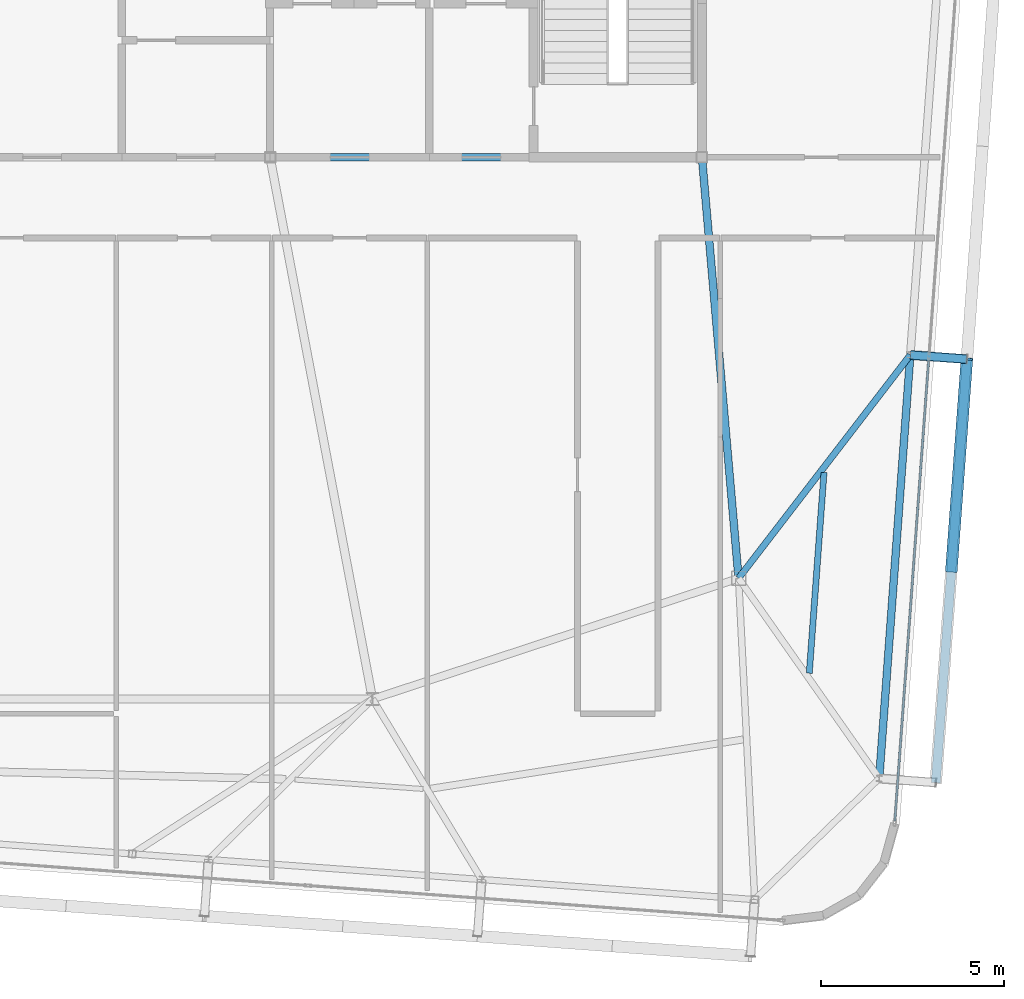
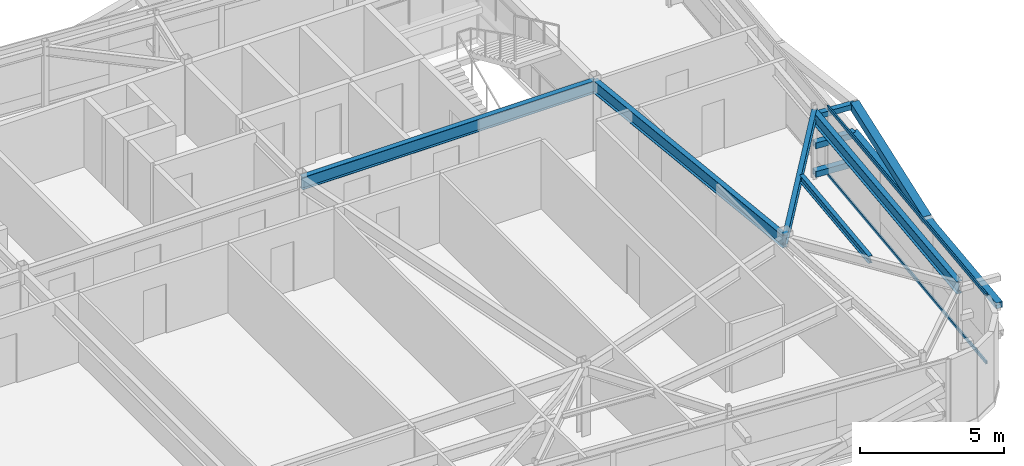
# One storey, part 16 of 34: 7 members, 5 beams, 1 element without a shape of its own.
"""IFC4 building model written with IfcOpenShell, lengths in metres."""

from ifc_helpers import new_model, si_unit, direction, frame, origin, origin_2d, place, context, subcontext, project, spatial, hollow_rectangle, i_section, extrude, source, transform, mapped, material, layer, layer_set, material_profile, profile_set, type_object, element, aggregate, save


model = new_model("IFC4")

# Units and contexts
model_context = context("Model", 3, precision=1e-05, world=origin(), true_north=direction((0.0, 1.0)))
body_context = subcontext(model_context, "Body", "Model", "MODEL_VIEW")
ifc_project = project(units=[si_unit("LENGTHUNIT", "METRE"), si_unit("AREAUNIT", "SQUARE_METRE"), si_unit("VOLUMEUNIT", "CUBIC_METRE"), si_unit("PLANEANGLEUNIT", "RADIAN"), si_unit("MASSUNIT", "GRAM", prefix="KILO")], contexts=[model_context])

# Site, building, storey
site_placement = place(None, origin())
site = spatial("IfcSite", under=ifc_project, at=site_placement, CompositionType="ELEMENT")
building_placement = place(site_placement, origin())
building = spatial("IfcBuilding", under=site, at=building_placement, Name="Taldren Reach Tower", CompositionType="ELEMENT")
storey_placement = place(building_placement, frame((0.0, 0.0, 242.89990234375)))
storey = spatial("IfcBuildingStorey", under=building, at=storey_placement, Name="L74", CompositionType="ELEMENT", Elevation=242.89990234375)

# Beams
ifc_material_1 = material(Name="Steel Gr 350 (350PLUS)", Category="steel")
ifc_material_profile_1 = material_profile(ifc_material_1, i_section(OverallWidth=0.208984375, OverallDepth=0.532958984375, WebThickness=0.01025390625, FlangeThickness=0.015625, at=origin_2d()), Name="530UB92.4")
ifc_profile_set_1 = profile_set([ifc_material_profile_1], Name="Steel Gr 350 (350PLUS)")
beam_type_1 = type_object("IfcBeamType", Name="BM-UB530A", PredefinedType="BEAM", material=ifc_profile_set_1)
shared_shape_1 = source(origin(), body_context, "Body", "SweptSolid", [
    extrude(i_section(OverallWidth=0.208984375, OverallDepth=0.532958984375, WebThickness=0.01025390625, FlangeThickness=0.015625, at=origin_2d()), origin(), (0.0, 0.0, 1.0), 11.800048828125),
])
beam_1_placement = place(storey_placement, frame((39.199951171875, 24.0, 2.66357421875), z_axis=(1.0, 0.0, 0.0), x_axis=(0.0, 1.0, 0.0)))
element("IfcBeam", 1, at=beam_1_placement, inside=storey, type_object=beam_type_1, Name="Core-spine girder L74-SP03", PredefinedType="BEAM", context=body_context, shape_type="MappedRepresentation", body=[
    mapped(shared_shape_1, transform((0.0, 0.0, 0.0), scale=1.0)),
])
shared_shape_2 = source(origin(), body_context, "Body", "SweptSolid", [
    extrude(i_section(OverallWidth=0.208984375, OverallDepth=0.532958984375, WebThickness=0.01025390625, FlangeThickness=0.015625, at=origin_2d()), origin(), (0.0, 0.0, 1.0), 11.54345703125),
])
beam_2_placement = place(storey_placement, frame((52.0, 12.5, 2.66357421875), z_axis=(-0.086629616365, 0.996240588196, 0.0), x_axis=(-0.996240588196, -0.086629616365, 0.0)))
element("IfcBeam", 2, at=beam_2_placement, inside=storey, type_object=beam_type_1, Name="Core-spine girder L74-SP13", PredefinedType="BEAM", context=body_context, shape_type="MappedRepresentation", body=[
    mapped(shared_shape_2, transform((0.0, 0.0, 0.0), scale=1.0)),
])
ifc_material_profile_2 = material_profile(ifc_material_1, i_section(OverallWidth=0.208984375, OverallDepth=0.528076171875, WebThickness=0.009521484375, FlangeThickness=0.01318359375, at=origin_2d()), Name="530UB82.0")
ifc_profile_set_2 = profile_set([ifc_material_profile_2], Name="Steel Gr 350 (350PLUS)")
beam_type_2 = type_object("IfcBeamType", Name="SP-UB530B", PredefinedType="SPANDREL", material=ifc_profile_set_2)
shared_shape_3 = source(origin(), body_context, "Body", "SweptSolid", [
    extrude(i_section(OverallWidth=0.208984375, OverallDepth=0.528076171875, WebThickness=0.009521484375, FlangeThickness=0.01318359375, at=origin_2d()), origin(), (0.0, 0.0, 1.0), 11.60009765625),
])
beam_3_placement = place(storey_placement, frame((55.841796875, 7.031005859375, 2.666015625), z_axis=(0.073242167855, 0.997314185625, 0.0), x_axis=(-0.997314185625, 0.073242167855, 0.0)))
element("IfcBeam", 3, at=beam_3_placement, inside=storey, type_object=beam_type_2, Name="Perimeter spandrel B5 E1-E2 L74", PredefinedType="SPANDREL", context=body_context, shape_type="MappedRepresentation", body=[
    mapped(shared_shape_3, transform((0.0, 0.0, 0.0), scale=1.0)),
])
ifc_material_profile_3 = material_profile(ifc_material_1, i_section(OverallWidth=0.177978515625, OverallDepth=0.406005859375, WebThickness=0.0078125, FlangeThickness=0.0126953125, at=origin_2d()), Name="410UB59.7")
ifc_profile_set_3 = profile_set([ifc_material_profile_3], Name="Steel Gr 350 (350PLUS)")
beam_type_3 = type_object("IfcBeamType", Name="BM-UB410", PredefinedType="BEAM", material=ifc_profile_set_3)
shared_shape_4 = source(origin(), body_context, "Body", "SweptSolid", [
    extrude(i_section(OverallWidth=0.177978515625, OverallDepth=0.406005859375, WebThickness=0.0078125, FlangeThickness=0.0126953125, at=origin_2d()), origin(), (0.0, 0.0, 1.0), 7.6953125),
])
beam_4_placement = place(storey_placement, frame((52.0, 12.5, 2.72705078125), z_axis=(0.609646363361, 0.792673521471, 0.0), x_axis=(-0.792673521471, 0.609646363361, 0.0)))
element("IfcBeam", 4, at=beam_4_placement, inside=storey, type_object=beam_type_3, Name="Primary floor girder B5-E2 L74", PredefinedType="BEAM", context=body_context, shape_type="MappedRepresentation", body=[
    mapped(shared_shape_4, transform((0.0, 0.0, 0.0), scale=1.0)),
])
ifc_material_2 = material(Name="Steel Gr 300 (300PLUS, 300 MPa)", Category="steel")
ifc_material_profile_4 = material_profile(ifc_material_2, i_section(OverallWidth=0.166015625, OverallDepth=0.306884765625, WebThickness=0.006591796875, FlangeThickness=0.01171875, at=origin_2d()), Name="310UB46.2")
ifc_profile_set_4 = profile_set([ifc_material_profile_4], Name="Steel Gr 300 (300PLUS, 300 MPa)")
beam_type_4 = type_object("IfcBeamType", Name="JS-UB310", PredefinedType="JOIST", material=ifc_profile_set_4)
shared_shape_5 = source(origin(), body_context, "Body", "SweptSolid", [
    extrude(i_section(OverallWidth=0.166015625, OverallDepth=0.306884765625, WebThickness=0.006591796875, FlangeThickness=0.01171875, at=origin_2d()), origin(), (0.0, 0.0, 1.0), 5.49755859375),
])
beam_5_placement = place(storey_placement, frame((53.93115234375, 9.905517578125, 2.776611328125), z_axis=(0.073228814191, 0.99731516622, 0.0), x_axis=(-0.99731516622, 0.073228814191, 0.0)))
element("IfcBeam", 5, at=beam_5_placement, inside=storey, type_object=beam_type_4, Name="Secondary floor joist B5 J7 L74", PredefinedType="JOIST", context=body_context, shape_type="MappedRepresentation", body=[
    mapped(shared_shape_5, transform((0.0, 0.0, 0.0), scale=1.0)),
])

# Members
ifc_material_3 = material(Name="Steel Gr 450 (C450L0)", Category="steel")
ifc_material_profile_5 = material_profile(ifc_material_3, hollow_rectangle(XDim=0.219970703125, YDim=0.219970703125, WallThickness=0.00830078125, at=origin_2d()), Name="220x220x8.2SHS")
ifc_profile_set_5 = profile_set([ifc_material_profile_5], Name="Steel Gr 450 (C450L0)")
member_type_1 = type_object("IfcMemberType", Name="MB-TIE219", PredefinedType="STRUT", material=ifc_profile_set_5)
shared_shape_6 = source(origin(), body_context, "Body", "SweptSolid", [
    extrude(hollow_rectangle(XDim=0.219970703125, YDim=0.219970703125, WallThickness=0.00830078125, at=origin_2d()), origin(), (0.0, 0.0, 1.0), 1.5458984375),
])
member_1_placement = place(storey_placement, frame((56.6953125, 18.599365234375, 2.650146484375), z_axis=(0.99732305975, -0.073121231459, 0.0), x_axis=(0.073121231459, 0.99732305975, 0.0)))
element("IfcMember", 6, at=member_1_placement, inside=storey, type_object=member_type_1, Name="Exoskeleton diaphragm tie strut B5-E2 L74", PredefinedType="STRUT", context=body_context, shape_type="MappedRepresentation", body=[
    mapped(shared_shape_6, transform((0.0, 0.0, 0.0), scale=1.0)),
])
ifc_material_profile_6 = material_profile(ifc_material_3, hollow_rectangle(XDim=0.324951171875, YDim=0.324951171875, WallThickness=0.0126953125, at=origin_2d()), Name="325x325x12.7SHS")
ifc_profile_set_6 = profile_set([ifc_material_profile_6], Name="Steel Gr 450 (C450L0)")
member_type_2 = type_object("IfcMemberType", Name="MB-BR324", PredefinedType="BRACE", material=ifc_profile_set_6)
shared_shape_7 = source(origin(), body_context, "Body", "SweptSolid", [
    extrude(hollow_rectangle(XDim=0.324951171875, YDim=0.324951171875, WallThickness=0.0126953125, at=origin_2d()), origin(), (0.0, 0.0, 1.0), 5.926025390625),
])
member_2_placement = place(storey_placement, frame((57.812255859375, 12.701904296875, 1.43505859375), z_axis=(0.071685935393, 0.976123486939, 0.205046494513), x_axis=(-0.997314185625, 0.073242167855, 0.0)))
element("IfcMember", 7, at=member_2_placement, inside=storey, type_object=member_type_2, Name="Exoskeleton Diagrid Brace B5-E1 L74", PredefinedType="BRACE", context=body_context, shape_type="MappedRepresentation", body=[
    mapped(shared_shape_7, transform((0.0, 0.0, 0.0), scale=1.0)),
])
ifc_material_4 = material(Name="Steel Gr 350 (C350L0)", Category="steel")
ifc_material_profile_7 = material_profile(ifc_material_4, hollow_rectangle(XDim=0.25, YDim=0.25, WallThickness=0.010009765625, at=origin_2d()), Name="250x250x10.0SHS")
ifc_profile_set_7 = profile_set([ifc_material_profile_7], Name="Steel Gr 350 (C350L0)")
member_type_3 = type_object("IfcMemberType", Name="MB-POST250", PredefinedType="POST", material=ifc_profile_set_7)
shared_shape_8 = source(origin(), body_context, "Body", "SweptSolid", [
    extrude(hollow_rectangle(XDim=0.25, YDim=0.25, WallThickness=0.010009765625, at=origin_2d()), origin(), (0.0, 0.0, 1.0), 11.60009765625),
])
member_3_placement = place(storey_placement, frame((57.3876953125, 6.91748046875, 1.43505859375), z_axis=(0.073221234109, 0.997315722766, 0.0), x_axis=(-0.997315722766, 0.073221234109, 0.0)))
element("IfcMember", 8, at=member_3_placement, inside=storey, type_object=member_type_3, Name="Exoskeleton mid-height ring chord B5-E1 L74", PredefinedType="POST", context=body_context, shape_type="MappedRepresentation", body=[
    mapped(shared_shape_8, transform((0.0, 0.0, 0.0), scale=1.0)),
])
shared_shape_9 = source(origin(), body_context, "Body", "SweptSolid", [
    extrude(hollow_rectangle(XDim=0.25, YDim=0.25, WallThickness=0.010009765625, at=origin_2d()), origin(), (0.0, 0.0, 1.0), 1.5458984375),
])
for number, where, z_axis, x_axis, name in (
    (9, (56.6953125, 18.599365234375, 0.22021484375), (0.99732305975, -0.073121231459, 0.0), (0.073121231459, 0.99732305975, 0.0), "Exoskeleton base diaphragm tie strut B5-E2 L74"),
    (10, (56.6953125, 18.599365234375, 1.43505859375), (0.99732305975, -0.073121231459, 0.0), (0.073121231459, 0.99732305975, 0.0), "Exoskeleton mid-tier diaphragm tie B5-E2 L74"),
):
    element("IfcMember", number, at=place(storey_placement, frame(where, z_axis=z_axis, x_axis=x_axis)), inside=storey, type_object=member_type_3, Name=name, PredefinedType="POST", context=body_context, shape_type="MappedRepresentation", body=[
        mapped(shared_shape_9, transform((0.0, 0.0, 0.0), scale=1.0)),
    ])

# Curtain wall, members
ifc_material_5 = material(Name="Aluminium and Low-E Glass Unitised System", Category="aluminium")
ifc_layer = layer(ifc_material_5, 0.159912109375)
ifc_layer_set = layer_set([ifc_layer], Name="Aluminium and Low-E Glass Unitised System")
curtain_wall_type = type_object("IfcCurtainWallType", Name="CW-SYS-6", PredefinedType="NOTDEFINED", material=ifc_layer_set)
curtain_wall_placement = place(storey_placement, origin())
curtain_wall = element("IfcCurtainWall", 11, at=curtain_wall_placement, inside=storey, type_object=curtain_wall_type, Name="Unitised curtain wall CW-L74-E", PredefinedType="NOTDEFINED")
ifc_material_6 = material(Name="Anodised Aluminium 6063-T6", Category="aluminium")
ifc_material_profile_8 = material_profile(ifc_material_6, hollow_rectangle(XDim=0.06005859375, YDim=0.135009765625, WallThickness=0.00341796875, at=origin_2d()), Name="ALU-135x60x3.5RHS")
ifc_profile_set_8 = profile_set([ifc_material_profile_8], Name="Anodised Aluminium 6063-T6")
member_type_4 = type_object("IfcMemberType", Name="CW-TRN-150", PredefinedType="USERDEFINED", material=ifc_profile_set_8)
shared_shape_10 = source(origin(), body_context, "Body", "SweptSolid", [
    extrude(hollow_rectangle(XDim=0.06005859375, YDim=0.135009765625, WallThickness=0.00341796875, at=origin_2d()), origin(), (0.0, 0.0, 1.0), 12.6875),
])
member_4_placement = place(storey_placement, frame((56.26806640625, 5.87158203125, 0.030029296875), z_axis=(0.073237997916, 0.997314491854, 0.0), x_axis=(-0.997314491854, 0.073237997916, 0.0)))
member_4 = element("IfcMember", 12, at=member_4_placement, type_object=member_type_4, Name="CW-6 transom 1.1", ObjectType="TRANSOM", PredefinedType="USERDEFINED", context=body_context, shape_type="MappedRepresentation", body=[
    mapped(shared_shape_10, transform((0.0, 0.0, 0.0), scale=1.0)),
])
member_5_placement = place(storey_placement, frame((56.26806640625, 5.87158203125, 2.900146484375), z_axis=(0.073237997916, 0.997314491854, 0.0), x_axis=(-0.997314491854, 0.073237997916, 0.0)))
member_5 = element("IfcMember", 13, at=member_5_placement, type_object=member_type_4, Name="CW-6 transom 1.2", ObjectType="TRANSOM", PredefinedType="USERDEFINED", context=body_context, shape_type="MappedRepresentation", body=[
    mapped(shared_shape_10, transform((0.0, 0.0, 0.0), scale=1.0)),
])
aggregate(curtain_wall, [member_4, member_5])

save(model, "model.ifc")
